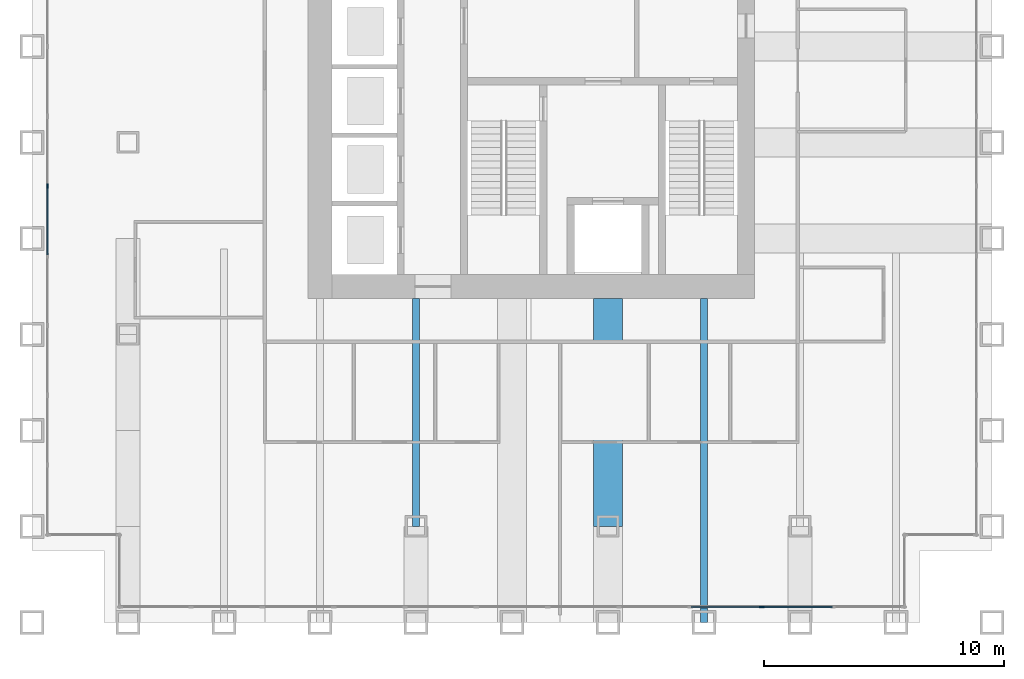
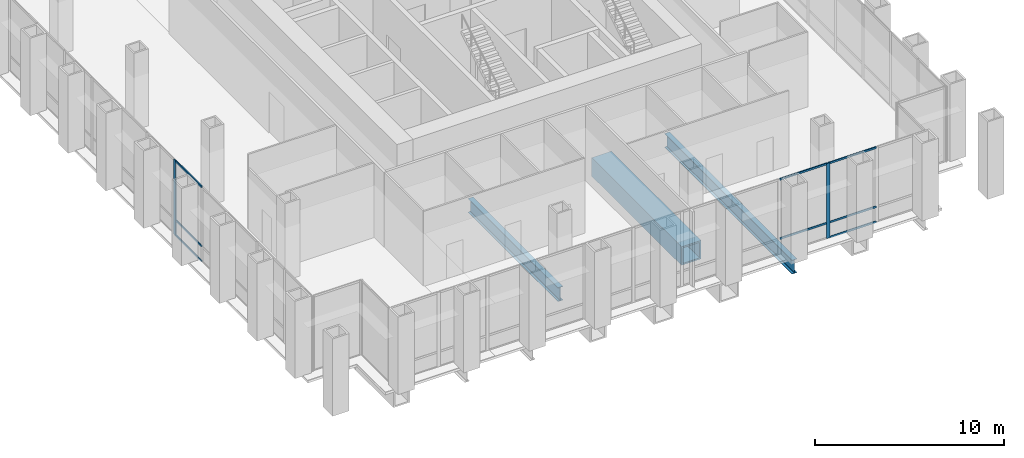
# One storey, part 3 of 13: 10 members, 3 beams, 2 elements without a shape of their own.
"""IFC4 building model written with IfcOpenShell, lengths in metres."""

from ifc_helpers import new_model, si_unit, direction, frame, origin, origin_2d, place, context, subcontext, project, spatial, rectangle, hollow_rectangle, i_section, extrude, material, material_profile, profile_set, type_object, element, aggregate, save


model = new_model("IFC4")

# Units and contexts
model_context = context("Model", 3, precision=1e-05, world=origin(), true_north=direction((0.0, 1.0)))
body_context = subcontext(model_context, "Body", "Model", "MODEL_VIEW")
ifc_project = project(units=[si_unit("LENGTHUNIT", "METRE"), si_unit("AREAUNIT", "SQUARE_METRE"), si_unit("VOLUMEUNIT", "CUBIC_METRE"), si_unit("PLANEANGLEUNIT", "RADIAN"), si_unit("MASSUNIT", "GRAM", prefix="KILO")], contexts=[model_context])

# Site, building, storey
site_placement = place(None, origin())
site = spatial("IfcSite", under=ifc_project, at=site_placement, CompositionType="ELEMENT")
building_placement = place(site_placement, origin())
building = spatial("IfcBuilding", under=site, at=building_placement, Name="Rimbunsela Tower", CompositionType="ELEMENT")
storey_placement = place(building_placement, frame((0.0, 0.0, 142.800048828125)))
storey = spatial("IfcBuildingStorey", under=building, at=storey_placement, Name="L34", CompositionType="ELEMENT", Elevation=142.800048828125)

# Beams
ifc_material_1 = material(Name="Steel BJ 55 (fy 410 MPa)", Category="steel")
ifc_material_profile_1 = material_profile(ifc_material_1, hollow_rectangle(XDim=1.199951171875, YDim=1.199951171875, WallThickness=0.10009765625, at=origin_2d()), Name="BOX 1200x1200x100")
ifc_profile_set_1 = profile_set([ifc_material_profile_1], Name="Steel BJ 55 (fy 410 MPa)")
beam_type_1 = type_object("IfcBeamType", Name="Beam BOX 1200x1200x100", PredefinedType="BEAM", material=ifc_profile_set_1)
beam_1_placement = place(storey_placement, frame((30.0, 8.0, -0.75), z_axis=(0.0, 1.0, 0.0), x_axis=(-1.0, 0.0, 0.0)))
element("IfcBeam", 1, at=beam_1_placement, inside=storey, type_object=beam_type_1, Name="Beam B5 L34", PredefinedType="BEAM", context=body_context, shape_type="SweptSolid", body=[
    extrude(hollow_rectangle(XDim=1.199951171875, YDim=1.199951171875, WallThickness=0.10009765625, at=origin_2d()), origin(), (0.0, 0.0, 1.0), 9.5),
])
ifc_material_2 = material(Name="Steel BJ 55 (fy 410 MPa)", Category="steel")
ifc_material_profile_2 = material_profile(ifc_material_2, i_section(OverallWidth=0.300048828125, OverallDepth=0.89990234375, WebThickness=0.01611328125, FlangeThickness=0.028076171875, FilletRadius=0.028076171875, at=origin_2d()), Name="H 900x300x16x28")
ifc_profile_set_2 = profile_set([ifc_material_profile_2], Name="Steel BJ 55 (fy 410 MPa)")
beam_type_2 = type_object("IfcBeamType", Name="Beam H 900x300x16x28", PredefinedType="BEAM", material=ifc_profile_set_2)
beam_2_placement = place(storey_placement, frame((22.0, 8.0, -0.60009765625), z_axis=(0.0, 1.0, 0.0), x_axis=(-1.0, 0.0, 0.0)))
element("IfcBeam", 2, at=beam_2_placement, inside=storey, type_object=beam_type_2, Name="Beam B2 L34", PredefinedType="BEAM", context=body_context, shape_type="SweptSolid", body=[
    extrude(i_section(OverallWidth=0.300048828125, OverallDepth=0.89990234375, WebThickness=0.01611328125, FlangeThickness=0.028076171875, FilletRadius=0.028076171875, at=origin_2d()), origin(), (0.0, 0.0, 1.0), 9.5),
])
beam_3_placement = place(storey_placement, frame((34.0, 4.0, -0.60009765625), z_axis=(0.0, 1.0, 0.0), x_axis=(-1.0, 0.0, 0.0)))
element("IfcBeam", 3, at=beam_3_placement, inside=storey, type_object=beam_type_2, Name="Beam B2 L34", PredefinedType="BEAM", context=body_context, shape_type="SweptSolid", body=[
    extrude(i_section(OverallWidth=0.300048828125, OverallDepth=0.89990234375, WebThickness=0.01611328125, FlangeThickness=0.028076171875, FilletRadius=0.028076171875, at=origin_2d()), origin(), (0.0, 0.0, 1.0), 13.5),
])

# Curtain wall, member
ifc_material_3 = material(Name="Aluminium curtain wall", Category="aluminium")
curtain_wall_type = type_object("IfcCurtainWallType", Name="Sky lobby glazing", PredefinedType="USERDEFINED", material=ifc_material_3)
curtain_wall_1_placement = place(storey_placement, origin())
curtain_wall_1 = element("IfcCurtainWall", 4, at=curtain_wall_1_placement, inside=storey, type_object=curtain_wall_type, Name="Sky lobby glazing L34", ObjectType="SKY LOBBY GLAZING", PredefinedType="USERDEFINED")
ifc_material_4 = material(Name="Aluminium mullion", Category="aluminium")
ifc_material_profile_3 = material_profile(ifc_material_4, rectangle(XDim=0.06005859375, YDim=0.199951171875, at=origin_2d()), Name="Mullion 60x200")
ifc_profile_set_3 = profile_set([ifc_material_profile_3], Name="Aluminium mullion")
member_type_1 = type_object("IfcMemberType", Name="Curtain wall mullion 60x200", PredefinedType="MULLION", material=ifc_profile_set_3)
member_1_placement = place(storey_placement, frame((6.64990234375, 22.185791015625, 0.0), z_axis=(0.0, 0.0, 1.0), x_axis=(1.0, 0.0, 0.0)))
member_1 = element("IfcMember", 5, at=member_1_placement, type_object=member_type_1, Name="CW4 mullion 10", PredefinedType="MULLION", context=body_context, shape_type="SweptSolid", body=[
    extrude(rectangle(XDim=0.06005859375, YDim=0.199951171875, at=origin_2d()), origin(), (0.0, 0.0, 1.0), 4.849853515625),
])

curtain_wall_2_placement = place(storey_placement, origin())
curtain_wall_2 = element("IfcCurtainWall", 6, at=curtain_wall_2_placement, inside=storey, type_object=curtain_wall_type, Name="Sky lobby glazing L34", ObjectType="SKY LOBBY GLAZING", PredefinedType="USERDEFINED")
member_2_placement = place(storey_placement, frame((36.404541015625, 4.64990234375, 0.0), z_axis=(0.0, 0.0, 1.0), x_axis=(0.0, 1.0, 0.0)))
member_2 = element("IfcMember", 7, at=member_2_placement, type_object=member_type_1, Name="CW4 mullion 10", PredefinedType="MULLION", context=body_context, shape_type="SweptSolid", body=[
    extrude(rectangle(XDim=0.06005859375, YDim=0.199951171875, at=origin_2d()), origin(), (0.0, 0.0, 1.0), 4.849853515625),
])

# Member
ifc_material_5 = material(Name="Aluminium transom", Category="aluminium")
ifc_material_profile_4 = material_profile(ifc_material_5, rectangle(XDim=0.06005859375, YDim=0.1201171875, at=origin_2d()), Name="Transom 60x120")
ifc_profile_set_4 = profile_set([ifc_material_profile_4], Name="Aluminium transom")
member_type_2 = type_object("IfcMemberType", Name="Curtain wall transom 60x120", PredefinedType="USERDEFINED", material=ifc_profile_set_4)
member_3_placement = place(storey_placement, frame((6.64990234375, 22.15576171875, 0.030029296875), z_axis=(0.0, -1.0, 0.0), x_axis=(1.0, 0.0, 0.0)))
member_3 = element("IfcMember", 8, at=member_3_placement, type_object=member_type_2, Name="CW4 transom 10.1", ObjectType="TRANSOM", PredefinedType="USERDEFINED", context=body_context, shape_type="SweptSolid", body=[
    extrude(rectangle(XDim=0.06005859375, YDim=0.1201171875, at=origin_2d()), origin(), (0.0, 0.0, 1.0), 2.84716796875),
])

member_4_placement = place(storey_placement, frame((6.64990234375, 22.15576171875, 1.0), z_axis=(0.0, -1.0, 0.0), x_axis=(1.0, 0.0, 0.0)))
member_4 = element("IfcMember", 9, at=member_4_placement, type_object=member_type_2, Name="CW4 transom 10.2", ObjectType="TRANSOM", PredefinedType="USERDEFINED", context=body_context, shape_type="SweptSolid", body=[
    extrude(rectangle(XDim=0.06005859375, YDim=0.1201171875, at=origin_2d()), origin(), (0.0, 0.0, 1.0), 2.84716796875),
])

member_5_placement = place(storey_placement, frame((6.64990234375, 22.15576171875, 4.820068359375), z_axis=(0.0, -1.0, 0.0), x_axis=(1.0, 0.0, 0.0)))
member_5 = element("IfcMember", 10, at=member_5_placement, type_object=member_type_2, Name="CW4 transom 10.3", ObjectType="TRANSOM", PredefinedType="USERDEFINED", context=body_context, shape_type="SweptSolid", body=[
    extrude(rectangle(XDim=0.06005859375, YDim=0.1201171875, at=origin_2d()), origin(), (0.0, 0.0, 1.0), 2.84716796875),
])

aggregate(curtain_wall_1, [member_1, member_3, member_4, member_5])

member_6_placement = place(storey_placement, frame((33.4619140625, 4.64990234375, 1.0), z_axis=(1.0, 0.0, 0.0), x_axis=(0.0, 1.0, 0.0)))
member_6 = element("IfcMember", 11, at=member_6_placement, type_object=member_type_2, Name="CW4 transom 9.2", ObjectType="TRANSOM", PredefinedType="USERDEFINED", context=body_context, shape_type="SweptSolid", body=[
    extrude(rectangle(XDim=0.06005859375, YDim=0.1201171875, at=origin_2d()), origin(), (0.0, 0.0, 1.0), 2.91259765625),
])

member_7_placement = place(storey_placement, frame((33.4619140625, 4.64990234375, 4.820068359375), z_axis=(1.0, 0.0, 0.0), x_axis=(0.0, 1.0, 0.0)))
member_7 = element("IfcMember", 12, at=member_7_placement, type_object=member_type_2, Name="CW4 transom 9.3", ObjectType="TRANSOM", PredefinedType="USERDEFINED", context=body_context, shape_type="SweptSolid", body=[
    extrude(rectangle(XDim=0.06005859375, YDim=0.1201171875, at=origin_2d()), origin(), (0.0, 0.0, 1.0), 2.91259765625),
])

member_8_placement = place(storey_placement, frame((36.4345703125, 4.64990234375, 0.030029296875), z_axis=(1.0, 0.0, 0.0), x_axis=(0.0, 1.0, 0.0)))
member_8 = element("IfcMember", 13, at=member_8_placement, type_object=member_type_2, Name="CW4 transom 10.1", ObjectType="TRANSOM", PredefinedType="USERDEFINED", context=body_context, shape_type="SweptSolid", body=[
    extrude(rectangle(XDim=0.06005859375, YDim=0.1201171875, at=origin_2d()), origin(), (0.0, 0.0, 1.0), 2.91259765625),
])

member_9_placement = place(storey_placement, frame((36.4345703125, 4.64990234375, 1.0), z_axis=(1.0, 0.0, 0.0), x_axis=(0.0, 1.0, 0.0)))
member_9 = element("IfcMember", 14, at=member_9_placement, type_object=member_type_2, Name="CW4 transom 10.2", ObjectType="TRANSOM", PredefinedType="USERDEFINED", context=body_context, shape_type="SweptSolid", body=[
    extrude(rectangle(XDim=0.06005859375, YDim=0.1201171875, at=origin_2d()), origin(), (0.0, 0.0, 1.0), 2.91259765625),
])

member_10_placement = place(storey_placement, frame((36.4345703125, 4.64990234375, 4.820068359375), z_axis=(1.0, 0.0, 0.0), x_axis=(0.0, 1.0, 0.0)))
member_10 = element("IfcMember", 15, at=member_10_placement, type_object=member_type_2, Name="CW4 transom 10.3", ObjectType="TRANSOM", PredefinedType="USERDEFINED", context=body_context, shape_type="SweptSolid", body=[
    extrude(rectangle(XDim=0.06005859375, YDim=0.1201171875, at=origin_2d()), origin(), (0.0, 0.0, 1.0), 2.91259765625),
])

aggregate(curtain_wall_2, [member_2, member_6, member_7, member_8, member_9, member_10])

save(model, "model.ifc")
